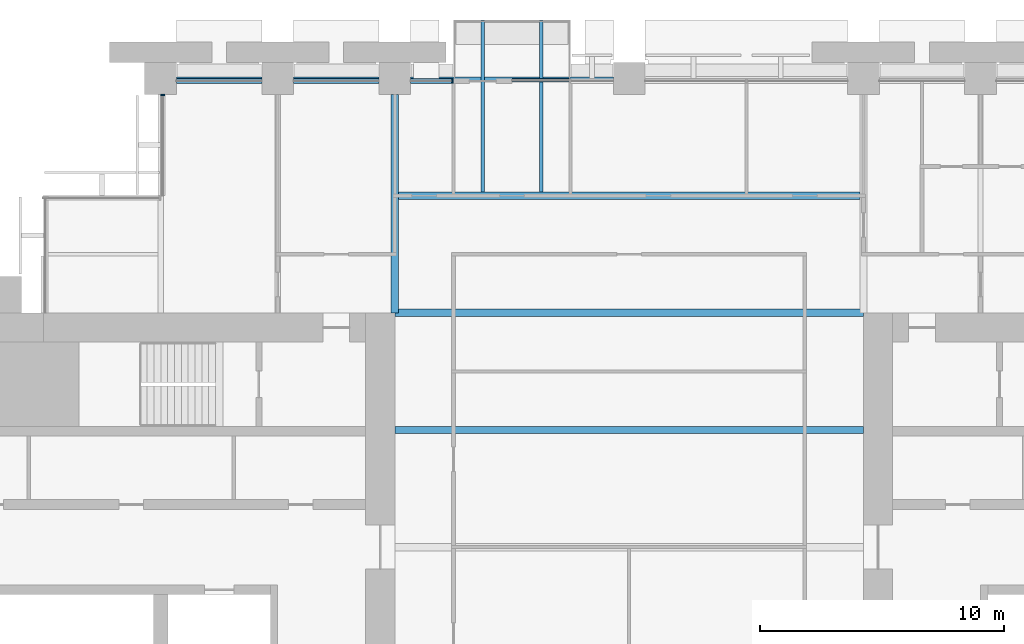
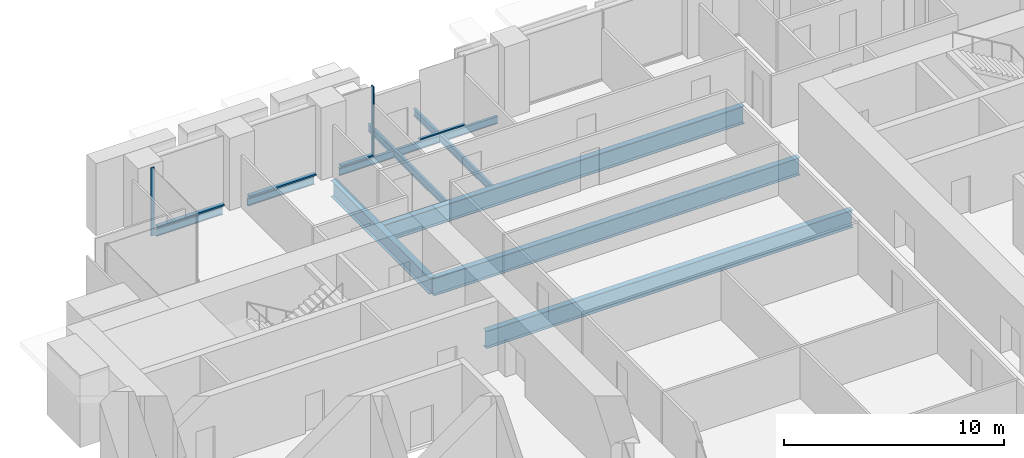
# One storey, part 6 of 15: 11 beams, 6 members, 3 elements without a shape of their own.
"""IFC4 building model written with IfcOpenShell, lengths in metres."""

import ifcopenshell
import ifcopenshell.guid

model = None  # the IFC model being written
_history = None  # IfcOwnerHistory: only IFC2X3 demands one
_inside = {}  # id of a spatial element -> (the spatial element, [elements in it])
_under = {}  # id of a project, library or spatial element -> (it, [spatial elements below it])
_declared = {}  # id of a project -> (the project, [libraries it declares])
_typed = {}  # id of a type object -> (the type object, [elements of that type])
_made_of = {}  # id of a material, layer set ... -> (it, [elements and type objects made of it])


def new_model(schema):
    """Start an empty IFC model of exactly this schema.

    Asked for "IFC4X3", IfcOpenShell would pick the latest addendum, in which some entities
    have other attributes; the version numbers below select the first issue.
    IFC2X3 requires an IfcOwnerHistory on every rooted entity: one is made here for all.
    """
    global model, _history
    if schema == "IFC4X3":
        model = ifcopenshell.file(schema_version=(4, 3, 0, 0))
    else:
        model = ifcopenshell.file(schema=schema)
    _inside.clear()
    _under.clear()
    _declared.clear()
    _typed.clear()
    _made_of.clear()
    _history = None
    if model.schema == "IFC2X3":
        org = make("IfcOrganization", Name="unknown")
        user = make(
            "IfcPersonAndOrganization",
            ThePerson=make("IfcPerson", FamilyName="unknown"),
            TheOrganization=org,
        )
        app = make(
            "IfcApplication",
            ApplicationDeveloper=org,
            Version="unknown",
            ApplicationFullName="unknown",
            ApplicationIdentifier="unknown",
        )
        _history = make(
            "IfcOwnerHistory",
            OwningUser=user,
            OwningApplication=app,
            ChangeAction="ADDED",
            CreationDate=0,
        )
    return model


def make(cls, **values):
    """One entity of the class cls with the attributes given. An attribute that is None is left unset."""
    return model.create_entity(
        cls, **{name: value for name, value in values.items() if value is not None}
    )


def rooted(cls, **values):
    """An entity with a GlobalId (a new one), such as an element, a storey or a relation."""
    return make(cls, GlobalId=ifcopenshell.guid.new(), OwnerHistory=_history, **values)


def si_unit(unit_type, name, prefix=None):
    """IfcSIUnit, for example si_unit("LENGTHUNIT", "METRE", prefix="MILLI")."""
    return make("IfcSIUnit", UnitType=unit_type, Prefix=prefix, Name=name)


def assignment(units):
    """IfcUnitAssignment: the units of a project."""
    return None if units is None else make("IfcUnitAssignment", Units=units)


def point(xyz):
    """IfcCartesianPoint."""
    return None if xyz is None else make("IfcCartesianPoint", Coordinates=xyz)


def direction(xyz):
    """IfcDirection."""
    return None if xyz is None else make("IfcDirection", DirectionRatios=xyz)


def frame(location, z_axis=None, x_axis=None):
    """IfcAxis2Placement3D, a coordinate frame: its origin and axes. An axis left out is left unset."""
    return make(
        "IfcAxis2Placement3D",
        Location=point(location),
        Axis=direction(z_axis),
        RefDirection=direction(x_axis),
    )


def frame_2d(location, x_axis=None):
    """IfcAxis2Placement2D, a coordinate frame in the plane: its origin and x axis."""
    return make(
        "IfcAxis2Placement2D", Location=point(location), RefDirection=direction(x_axis)
    )


def origin():
    """The frame at (0, 0, 0) with its axes left unset."""
    return frame((0.0, 0.0, 0.0))


def origin_2d():
    """The frame at (0, 0) in the plane with its x axis left unset."""
    return frame_2d((0.0, 0.0))


def place(relative_to, where):
    """IfcLocalPlacement: puts the frame where relative to a parent placement (None: the world)."""
    return make(
        "IfcLocalPlacement", PlacementRelTo=relative_to, RelativePlacement=where
    )


def context(
    kind, dimensions, precision=None, world=None, true_north=None, identifier=None
):
    """IfcGeometricRepresentationContext, for example the 3D "Model" context."""
    return make(
        "IfcGeometricRepresentationContext",
        ContextIdentifier=identifier,
        ContextType=kind,
        CoordinateSpaceDimension=dimensions,
        Precision=precision,
        WorldCoordinateSystem=world,
        TrueNorth=true_north,
    )


def subcontext(parent, identifier, kind, view, scale=None):
    """IfcGeometricRepresentationSubContext, for example "Body" below "Model"."""
    return make(
        "IfcGeometricRepresentationSubContext",
        ContextIdentifier=identifier,
        ContextType=kind,
        ParentContext=parent,
        TargetScale=scale,
        TargetView=view,
    )


def project(units=None, contexts=None):
    """IfcProject with its units and contexts."""
    return rooted(
        "IfcProject",
        Name="project",
        RepresentationContexts=contexts,
        UnitsInContext=assignment(units),
    )


def spatial(cls, under=None, at=None, **own):
    """A site, building, storey or space (cls), placed at a placement, below another one or the project."""
    s = rooted(cls, ObjectPlacement=at, **own)
    if under is not None:
        _under.setdefault(under.id(), (under, []))[1].append(s)
    return s


def profile(cls, at=None, kind="AREA", **sizes):
    """A parametric profile (cls). Its sizes go by their IFC names, for example OverallWidth=200.0."""
    return make(cls, ProfileType=kind, Position=at, **sizes)


def rectangle(**sizes):
    """IfcRectangleProfileDef."""
    return profile("IfcRectangleProfileDef", **sizes)


def i_section(**sizes):
    """IfcIShapeProfileDef."""
    return profile("IfcIShapeProfileDef", **sizes)


def extrude(swept, where, along, depth):
    """IfcExtrudedAreaSolid: the profile swept, set in the frame where, extruded along a direction by depth."""
    return make(
        "IfcExtrudedAreaSolid",
        SweptArea=swept,
        Position=where,
        ExtrudedDirection=direction(along),
        Depth=depth,
    )


def shape(context_of_items, identifier, shape_type, items):
    """IfcShapeRepresentation: the items that make up one representation, for example the "Body"."""
    return make(
        "IfcShapeRepresentation",
        ContextOfItems=context_of_items,
        RepresentationIdentifier=identifier,
        RepresentationType=shape_type,
        Items=items,
    )


def material(Name=None, Category=None):
    """IfcMaterial."""
    return make("IfcMaterial", Name=Name, Category=Category)


def material_profile(
    of_material, cross_section, Name=None, Category=None, Priority=None
):
    """IfcMaterialProfile: a cross section and its material."""
    return make(
        "IfcMaterialProfile",
        Name=Name,
        Material=of_material,
        Profile=cross_section,
        Priority=Priority,
        Category=Category,
    )


def profile_set(profiles, Name=None, composite=None):
    """IfcMaterialProfileSet."""
    return make(
        "IfcMaterialProfileSet",
        Name=Name,
        MaterialProfiles=profiles,
        CompositeProfile=composite,
    )


def made_of(thing, what):
    """Note that an element or type object is made of a material, layer set ...; save() writes the relation."""
    if what is not None:
        _made_of.setdefault(what.id(), (what, []))[1].append(thing)
    return thing


def type_object(cls, material=None, **own):
    """A type object (cls), such as IfcWallType, which elements share."""
    return made_of(rooted(cls, **own), material)


def element(
    cls,
    number,
    at=None,
    inside=None,
    cuts=None,
    type_object=None,
    material=None,
    context=None,
    identifier="Body",
    shape_type=None,
    held_by="IfcProductDefinitionShape",
    body=None,
    shapes=None,
    **own,
):
    """One element of the class cls, such as IfcWall. Its Tag is "e" and its number.

    at: its placement. inside: the storey or other place that contains it. cuts: it is an
    opening in that element (IfcRelVoidsElement). A single representation is given by context,
    identifier, shape_type and body (its items); several are given by shapes. held_by: the class
    of the entity that holds the representations. save() writes the other relations.
    """
    e = rooted(cls, Tag="e%d" % number, ObjectPlacement=at, **own)
    if body is not None:
        shapes = [shape(context, identifier, shape_type, body)]
    if shapes is not None:
        e.Representation = make(held_by, Representations=shapes)
    if inside is not None:
        _inside.setdefault(inside.id(), (inside, []))[1].append(e)
    if cuts is not None:
        rooted(
            "IfcRelVoidsElement", RelatingBuildingElement=cuts, RelatedOpeningElement=e
        )
    if type_object is not None:
        _typed.setdefault(type_object.id(), (type_object, []))[1].append(e)
    return made_of(e, material)


def aggregate(whole, parts):
    """IfcRelAggregates: a whole, such as a stair, and the parts it consists of."""
    return rooted("IfcRelAggregates", RelatingObject=whole, RelatedObjects=parts)


def save(model, path):
    """Write the relations noted so far, then the file.

    IfcRelAggregates (storeys below a building ...), IfcRelContainedInSpatialStructure (elements
    in a storey), IfcRelDefinesByType, IfcRelAssociatesMaterial and IfcRelDeclares: one each for
    every whole, place, type object, material and project.
    """
    for whole, parts in _under.values():
        aggregate(whole, parts)
    for where, things in _inside.values():
        rooted(
            "IfcRelContainedInSpatialStructure",
            RelatedElements=things,
            RelatingStructure=where,
        )
    for kind, things in _typed.values():
        rooted("IfcRelDefinesByType", RelatedObjects=things, RelatingType=kind)
    for what, things in _made_of.values():
        rooted("IfcRelAssociatesMaterial", RelatedObjects=things, RelatingMaterial=what)
    for by, libraries in _declared.values():
        rooted("IfcRelDeclares", RelatingContext=by, RelatedDefinitions=libraries)
    model.write(path)


model = new_model("IFC4")

# Units and contexts
model_context = context("Model", 3, precision=1e-05, world=origin(), true_north=direction((0.0, 1.0)))
body_context = subcontext(model_context, "Body", "Model", "MODEL_VIEW")
ifc_project = project(units=[si_unit("LENGTHUNIT", "METRE"), si_unit("AREAUNIT", "SQUARE_METRE"), si_unit("VOLUMEUNIT", "CUBIC_METRE"), si_unit("PLANEANGLEUNIT", "RADIAN"), si_unit("MASSUNIT", "GRAM", prefix="KILO")], contexts=[model_context])

# Site, building, storey
site_placement = place(None, origin())
site = spatial("IfcSite", under=ifc_project, at=site_placement, CompositionType="ELEMENT")
building_placement = place(site_placement, origin())
building = spatial("IfcBuilding", under=site, at=building_placement, Name="Baori Bourse Tower", CompositionType="ELEMENT")
storey_placement = place(building_placement, frame((0.0, 0.0, 71.0)))
storey = spatial("IfcBuildingStorey", under=building, at=storey_placement, Name="L15", CompositionType="ELEMENT", Elevation=71.0)

# Beams
ifc_material_1 = material(Name="Steel A992 Gr 50", Category="steel")
ifc_material_profile_1 = material_profile(ifc_material_1, i_section(OverallWidth=0.140380859375, OverallDepth=0.40380859375, WebThickness=0.007080078125, FlangeThickness=0.01123046875, at=origin_2d()), Name="W16x31")
ifc_profile_set_1 = profile_set([ifc_material_profile_1], Name="Steel A992 Gr 50")
beam_type_1 = type_object("IfcBeamType", Name="Balcony beam W16x31", PredefinedType="BEAM", material=ifc_profile_set_1)
for number, where, z_axis, x_axis, name in (
    (1, (22.800048828125, 50.39990234375, -0.36181640625), (0.0, -1.0, 0.0), (1.0, 0.0, 0.0), "Balcony beam L15"),
    (2, (25.199951171875, 50.39990234375, -0.36181640625), (0.0, -1.0, 0.0), (1.0, 0.0, 0.0), "Balcony beam L15"),
):
    element("IfcBeam", number, at=place(storey_placement, frame(where, z_axis=z_axis, x_axis=x_axis)), inside=storey, type_object=beam_type_1, Name=name, PredefinedType="BEAM", context=body_context, shape_type="SweptSolid", body=[
        extrude(i_section(OverallWidth=0.140380859375, OverallDepth=0.40380859375, WebThickness=0.007080078125, FlangeThickness=0.01123046875, at=origin_2d()), origin(), (0.0, 0.0, 1.0), 7.050048828125),
    ])

# Curtain wall, members
ifc_material_2 = material(Name="Pale anodised aluminium", Category="aluminium")
curtain_wall_type_1 = type_object("IfcCurtainWallType", Name="CW1 Curtain wall", PredefinedType="NOTDEFINED", material=ifc_material_2)
curtain_wall_1_placement = place(storey_placement, origin())
curtain_wall_1 = element("IfcCurtainWall", 3, at=curtain_wall_1_placement, inside=storey, type_object=curtain_wall_type_1, Name="Curtain wall CW1 L15 6", PredefinedType="NOTDEFINED")
ifc_material_3 = material(Name="Pale anodised aluminium", Category="aluminium")
ifc_material_profile_2 = material_profile(ifc_material_3, rectangle(XDim=0.199951171875, YDim=0.06005859375, at=origin_2d()), Name="Mullion 60x200")
ifc_profile_set_2 = profile_set([ifc_material_profile_2], Name="Pale anodised aluminium")
member_type_1 = type_object("IfcMemberType", Name="CW1 Curtain wall mullion", PredefinedType="MULLION", material=ifc_profile_set_2)
member_1_placement = place(storey_placement, frame((21.570068359375, 47.89990234375, 0.080078125), z_axis=(0.0, 0.0, 1.0), x_axis=(0.0, -1.0, 0.0)))
member_1 = element("IfcMember", 4, at=member_1_placement, type_object=member_type_1, Name="Curtain wall CW1 mullion", PredefinedType="MULLION", context=body_context, shape_type="SweptSolid", body=[
    extrude(rectangle(XDim=0.199951171875, YDim=0.06005859375, at=origin_2d()), origin(), (0.0, 0.0, 1.0), 3.760009765625),
])
ifc_material_4 = material(Name="Pale anodised aluminium", Category="aluminium")
ifc_material_profile_3 = material_profile(ifc_material_4, rectangle(XDim=0.199951171875, YDim=0.080078125, at=origin_2d()), Name="Transom 80x200")
ifc_profile_set_3 = profile_set([ifc_material_profile_3], Name="Pale anodised aluminium")
member_type_2 = type_object("IfcMemberType", Name="CW1 Curtain wall transom", PredefinedType="USERDEFINED", material=ifc_profile_set_3)
member_2_placement = place(storey_placement, frame((21.60009765625, 47.89990234375, 0.0400390625), z_axis=(-1.0, 0.0, 0.0), x_axis=(0.0, -1.0, 0.0)))
member_2 = element("IfcMember", 5, at=member_2_placement, type_object=member_type_2, Name="Curtain wall CW1 sill rail", ObjectType="TRANSOM", PredefinedType="USERDEFINED", context=body_context, shape_type="SweptSolid", body=[
    extrude(rectangle(XDim=0.199951171875, YDim=0.080078125, at=origin_2d()), origin(), (0.0, 0.0, 1.0), 1.75),
])
member_3_placement = place(storey_placement, frame((18.550048828125, 47.89990234375, 0.0400390625), z_axis=(-1.0, 0.0, 0.0), x_axis=(0.0, -1.0, 0.0)))
member_3 = element("IfcMember", 6, at=member_3_placement, type_object=member_type_2, Name="Curtain wall CW1 sill rail", ObjectType="TRANSOM", PredefinedType="USERDEFINED", context=body_context, shape_type="SweptSolid", body=[
    extrude(rectangle(XDim=0.199951171875, YDim=0.080078125, at=origin_2d()), origin(), (0.0, 0.0, 1.0), 3.5),
])
member_4_placement = place(storey_placement, frame((13.75, 47.89990234375, 0.0400390625), z_axis=(-1.0, 0.0, 0.0), x_axis=(0.0, -1.0, 0.0)))
member_4 = element("IfcMember", 7, at=member_4_placement, type_object=member_type_2, Name="Curtain wall CW1 sill rail", ObjectType="TRANSOM", PredefinedType="USERDEFINED", context=body_context, shape_type="SweptSolid", body=[
    extrude(rectangle(XDim=0.199951171875, YDim=0.080078125, at=origin_2d()), origin(), (0.0, 0.0, 1.0), 3.5),
])
aggregate(curtain_wall_1, [member_2, member_1, member_3, member_4])

# Curtain wall, member
ifc_material_5 = material(Name="Pale anodised aluminium", Category="aluminium")
curtain_wall_type_2 = type_object("IfcCurtainWallType", Name="CW2 Curtain wall", PredefinedType="NOTDEFINED", material=ifc_material_5)
curtain_wall_2_placement = place(storey_placement, origin())
curtain_wall_2 = element("IfcCurtainWall", 8, at=curtain_wall_2_placement, inside=storey, type_object=curtain_wall_type_2, Name="Curtain wall CW2 L15 7", PredefinedType="NOTDEFINED")
ifc_material_6 = material(Name="Pale anodised aluminium", Category="aluminium")
ifc_material_profile_4 = material_profile(ifc_material_6, rectangle(XDim=0.179931640625, YDim=0.054931640625, at=origin_2d()), Name="Mullion 55x180")
ifc_profile_set_4 = profile_set([ifc_material_profile_4], Name="Pale anodised aluminium")
member_type_3 = type_object("IfcMemberType", Name="CW2 Curtain wall mullion", PredefinedType="MULLION", material=ifc_profile_set_4)
member_5_placement = place(storey_placement, frame((9.68994140625, 47.322509765625, 0.070068359375), z_axis=(0.0, 0.0, 1.0), x_axis=(1.0, 0.0, 0.0)))
member_5 = element("IfcMember", 9, at=member_5_placement, type_object=member_type_3, Name="Curtain wall CW2 mullion", PredefinedType="MULLION", context=body_context, shape_type="SweptSolid", body=[
    extrude(rectangle(XDim=0.179931640625, YDim=0.054931640625, at=origin_2d()), origin(), (0.0, 0.0, 1.0), 3.77001953125),
])
aggregate(curtain_wall_2, [member_5])

ifc_material_7 = material(Name="Pale anodised aluminium", Category="aluminium")
curtain_wall_type_3 = type_object("IfcCurtainWallType", Name="CW6 Curtain wall", PredefinedType="NOTDEFINED", material=ifc_material_7)
curtain_wall_3_placement = place(storey_placement, origin())
curtain_wall_3 = element("IfcCurtainWall", 10, at=curtain_wall_3_placement, inside=storey, type_object=curtain_wall_type_3, Name="Curtain wall CW6 L15 5", PredefinedType="NOTDEFINED")
ifc_material_8 = material(Name="Pale anodised aluminium", Category="aluminium")
ifc_material_profile_5 = material_profile(ifc_material_8, rectangle(XDim=0.14990234375, YDim=0.06494140625, at=origin_2d()), Name="Transom 65x150")
ifc_profile_set_5 = profile_set([ifc_material_profile_5], Name="Pale anodised aluminium")
member_type_4 = type_object("IfcMemberType", Name="CW6 Curtain wall transom", PredefinedType="USERDEFINED", material=ifc_profile_set_5)
member_6_placement = place(storey_placement, frame((26.39990234375, 47.925048828125, 0.032470703125), z_axis=(-1.0, 0.0, 0.0), x_axis=(0.0, -1.0, 0.0)))
member_6 = element("IfcMember", 11, at=member_6_placement, type_object=member_type_4, Name="Curtain wall CW6 sill rail", ObjectType="TRANSOM", PredefinedType="USERDEFINED", context=body_context, shape_type="SweptSolid", body=[
    extrude(rectangle(XDim=0.14990234375, YDim=0.06494140625, at=origin_2d()), origin(), (0.0, 0.0, 1.0), 2.39990234375),
])
aggregate(curtain_wall_3, [member_6])

# Beams
ifc_material_9 = material(Name="Steel A992 Gr 50", Category="steel")
ifc_material_profile_6 = material_profile(ifc_material_9, i_section(OverallWidth=0.140380859375, OverallDepth=0.40380859375, WebThickness=0.007080078125, FlangeThickness=0.01123046875, at=origin_2d()), Name="W16x31")
ifc_profile_set_6 = profile_set([ifc_material_profile_6], Name="Steel A992 Gr 50")
beam_type_2 = type_object("IfcBeamType", Name="Edge beam W16x31", PredefinedType="BEAM", material=ifc_profile_set_6)
for number, where, z_axis, x_axis, name in (
    (12, (10.25, 48.0, -0.36181640625), (1.0, 0.0, 0.0), (0.0, 1.0, 0.0), "Edge beam L15"),
    (13, (15.050048828125, 48.0, -0.36181640625), (1.0, 0.0, 0.0), (0.0, 1.0, 0.0), "Edge beam L15"),
):
    element("IfcBeam", number, at=place(storey_placement, frame(where, z_axis=z_axis, x_axis=x_axis)), inside=storey, type_object=beam_type_2, Name=name, PredefinedType="BEAM", context=body_context, shape_type="SweptSolid", body=[
        extrude(i_section(OverallWidth=0.140380859375, OverallDepth=0.40380859375, WebThickness=0.007080078125, FlangeThickness=0.01123046875, at=origin_2d()), origin(), (0.0, 0.0, 1.0), 3.5),
    ])
beam_1_placement = place(storey_placement, frame((19.85009765625, 48.0, -0.36181640625), z_axis=(1.0, 0.0, 0.0), x_axis=(0.0, 1.0, 0.0)))
element("IfcBeam", 14, at=beam_1_placement, inside=storey, type_object=beam_type_2, Name="Edge beam L15", PredefinedType="BEAM", context=body_context, shape_type="SweptSolid", body=[
    extrude(i_section(OverallWidth=0.140380859375, OverallDepth=0.40380859375, WebThickness=0.007080078125, FlangeThickness=0.01123046875, at=origin_2d()), origin(), (0.0, 0.0, 1.0), 2.879638671875),
])
beam_2_placement = place(storey_placement, frame((22.8701171875, 48.0, -0.36181640625), z_axis=(1.0, 0.0, 0.0), x_axis=(0.0, 1.0, 0.0)))
element("IfcBeam", 15, at=beam_2_placement, inside=storey, type_object=beam_type_2, Name="Edge beam L15", PredefinedType="BEAM", context=body_context, shape_type="SweptSolid", body=[
    extrude(i_section(OverallWidth=0.140380859375, OverallDepth=0.40380859375, WebThickness=0.007080078125, FlangeThickness=0.01123046875, at=origin_2d()), origin(), (0.0, 0.0, 1.0), 2.259765625),
])
beam_3_placement = place(storey_placement, frame((25.270263671875, 48.0, -0.36181640625), z_axis=(1.0, 0.0, 0.0), x_axis=(0.0, 1.0, 0.0)))
element("IfcBeam", 16, at=beam_3_placement, inside=storey, type_object=beam_type_2, Name="Edge beam L15", PredefinedType="BEAM", context=body_context, shape_type="SweptSolid", body=[
    extrude(i_section(OverallWidth=0.140380859375, OverallDepth=0.40380859375, WebThickness=0.007080078125, FlangeThickness=0.01123046875, at=origin_2d()), origin(), (0.0, 0.0, 1.0), 2.879638671875),
])
ifc_material_10 = material(Name="Steel A992 Gr 50", Category="steel")
ifc_material_profile_7 = material_profile(ifc_material_10, i_section(OverallWidth=0.2998046875, OverallDepth=0.97021484375, WebThickness=0.01611328125, FlangeThickness=0.02099609375, at=origin_2d()), Name="W40x149")
ifc_profile_set_7 = profile_set([ifc_material_profile_7], Name="Steel A992 Gr 50")
beam_type_3 = type_object("IfcBeamType", Name="Floor beam W40x149", PredefinedType="BEAM", material=ifc_profile_set_7)
for number, where, z_axis, x_axis, name in (
    (17, (19.199951171875, 33.60009765625, -0.64501953125), (1.0, 0.0, 0.0), (0.0, 1.0, 0.0), "Floor beam L15"),
    (18, (19.199951171875, 38.39990234375, -0.64501953125), (1.0, 0.0, 0.0), (0.0, 1.0, 0.0), "Floor beam L15"),
):
    element("IfcBeam", number, at=place(storey_placement, frame(where, z_axis=z_axis, x_axis=x_axis)), inside=storey, type_object=beam_type_3, Name=name, PredefinedType="BEAM", context=body_context, shape_type="SweptSolid", body=[
        extrude(i_section(OverallWidth=0.2998046875, OverallDepth=0.97021484375, WebThickness=0.01611328125, FlangeThickness=0.02099609375, at=origin_2d()), origin(), (0.0, 0.0, 1.0), 19.199951171875),
    ])
ifc_material_11 = material(Name="Steel A992 Gr 50", Category="steel")
ifc_material_profile_8 = material_profile(ifc_material_11, i_section(OverallWidth=0.2998046875, OverallDepth=0.990478515625, WebThickness=0.0166015625, FlangeThickness=0.030517578125, at=origin_2d()), Name="W40x183")
ifc_profile_set_8 = profile_set([ifc_material_profile_8], Name="Steel A992 Gr 50")
beam_type_4 = type_object("IfcBeamType", Name="Floor beam W40x183", PredefinedType="BEAM", material=ifc_profile_set_8)
beam_4_placement = place(storey_placement, frame((19.352294921875, 43.199951171875, -0.6552734375), z_axis=(1.0, 0.0, 0.0), x_axis=(0.0, 1.0, 0.0)))
element("IfcBeam", 19, at=beam_4_placement, inside=storey, type_object=beam_type_4, Name="Floor beam L15", PredefinedType="BEAM", context=body_context, shape_type="SweptSolid", body=[
    extrude(i_section(OverallWidth=0.2998046875, OverallDepth=0.990478515625, WebThickness=0.0166015625, FlangeThickness=0.030517578125, at=origin_2d()), origin(), (0.0, 0.0, 1.0), 18.901611328125),
])
ifc_material_12 = material(Name="Steel A992 Gr 50", Category="steel")
ifc_material_profile_9 = material_profile(ifc_material_12, i_section(OverallWidth=0.3046875, OverallDepth=0.904296875, WebThickness=0.01513671875, FlangeThickness=0.02001953125, at=origin_2d()), Name="W36x135")
ifc_profile_set_9 = profile_set([ifc_material_profile_9], Name="Steel A992 Gr 50")
beam_type_5 = type_object("IfcBeamType", Name="Girder W36x135", PredefinedType="BEAM", material=ifc_profile_set_9)
beam_5_placement = place(storey_placement, frame((19.199951171875, 38.39990234375, -0.612060546875), z_axis=(0.0, 1.0, 0.0), x_axis=(-1.0, 0.0, 0.0)))
element("IfcBeam", 20, at=beam_5_placement, inside=storey, type_object=beam_type_5, Name="Girder L15", PredefinedType="BEAM", context=body_context, shape_type="SweptSolid", body=[
    extrude(i_section(OverallWidth=0.3046875, OverallDepth=0.904296875, WebThickness=0.01513671875, FlangeThickness=0.02001953125, at=origin_2d()), origin(), (0.0, 0.0, 1.0), 8.9501953125),
])

save(model, "model.ifc")
